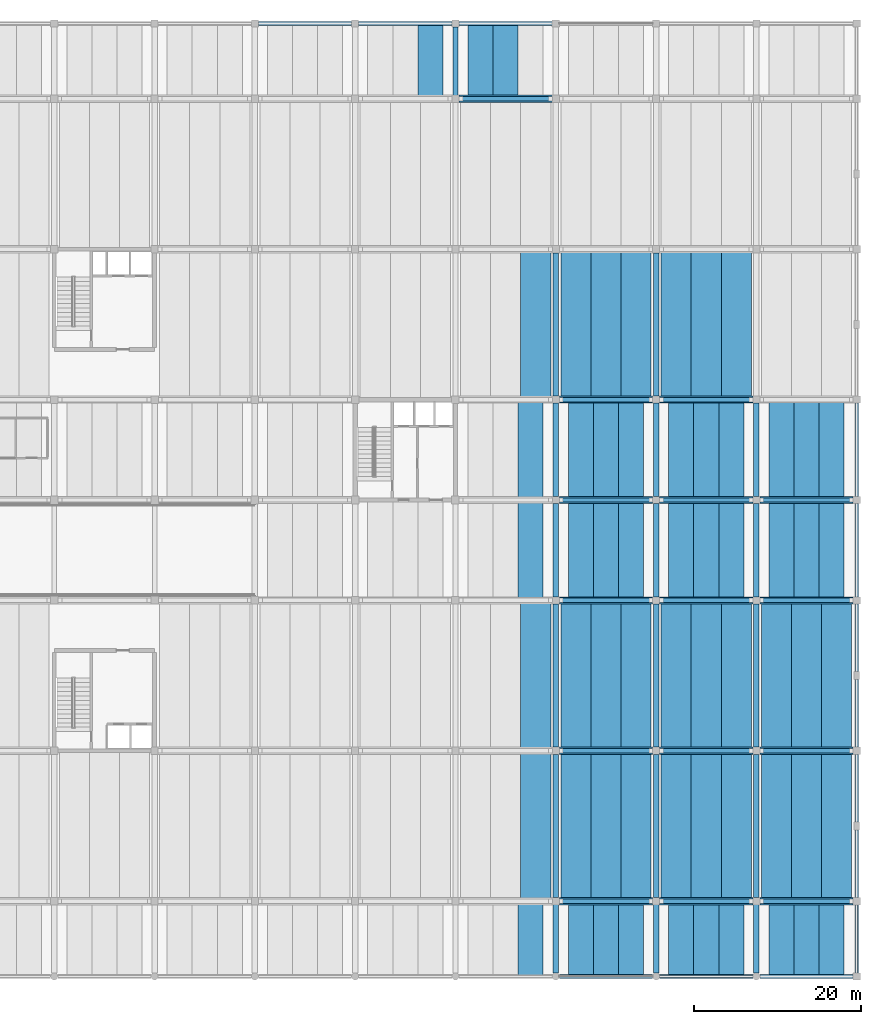
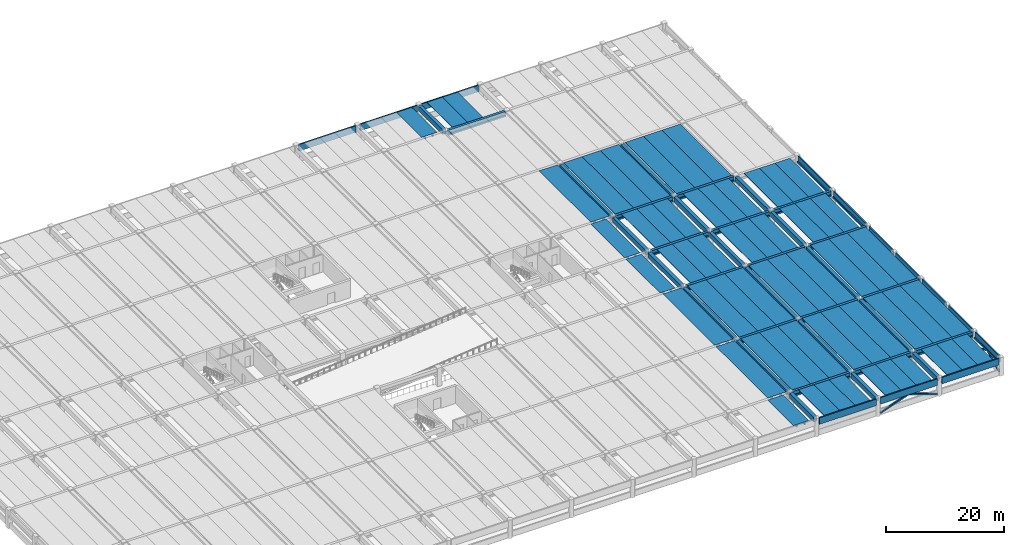
# One storey, part 5 of 19: 106 beams, 4 members.
"""IFC4 building model written with IfcOpenShell, lengths in metres."""

import ifcopenshell
import ifcopenshell.guid

model = None  # the IFC model being written
_history = None  # IfcOwnerHistory: only IFC2X3 demands one
_inside = {}  # id of a spatial element -> (the spatial element, [elements in it])
_under = {}  # id of a project, library or spatial element -> (it, [spatial elements below it])
_declared = {}  # id of a project -> (the project, [libraries it declares])
_typed = {}  # id of a type object -> (the type object, [elements of that type])
_made_of = {}  # id of a material, layer set ... -> (it, [elements and type objects made of it])


def new_model(schema):
    """Start an empty IFC model of exactly this schema.

    Asked for "IFC4X3", IfcOpenShell would pick the latest addendum, in which some entities
    have other attributes; the version numbers below select the first issue.
    IFC2X3 requires an IfcOwnerHistory on every rooted entity: one is made here for all.
    """
    global model, _history
    if schema == "IFC4X3":
        model = ifcopenshell.file(schema_version=(4, 3, 0, 0))
    else:
        model = ifcopenshell.file(schema=schema)
    _inside.clear()
    _under.clear()
    _declared.clear()
    _typed.clear()
    _made_of.clear()
    _history = None
    if model.schema == "IFC2X3":
        org = make("IfcOrganization", Name="unknown")
        user = make(
            "IfcPersonAndOrganization",
            ThePerson=make("IfcPerson", FamilyName="unknown"),
            TheOrganization=org,
        )
        app = make(
            "IfcApplication",
            ApplicationDeveloper=org,
            Version="unknown",
            ApplicationFullName="unknown",
            ApplicationIdentifier="unknown",
        )
        _history = make(
            "IfcOwnerHistory",
            OwningUser=user,
            OwningApplication=app,
            ChangeAction="ADDED",
            CreationDate=0,
        )
    return model


def make(cls, **values):
    """One entity of the class cls with the attributes given. An attribute that is None is left unset."""
    return model.create_entity(
        cls, **{name: value for name, value in values.items() if value is not None}
    )


def rooted(cls, **values):
    """An entity with a GlobalId (a new one), such as an element, a storey or a relation."""
    return make(cls, GlobalId=ifcopenshell.guid.new(), OwnerHistory=_history, **values)


def si_unit(unit_type, name, prefix=None):
    """IfcSIUnit, for example si_unit("LENGTHUNIT", "METRE", prefix="MILLI")."""
    return make("IfcSIUnit", UnitType=unit_type, Prefix=prefix, Name=name)


def assignment(units):
    """IfcUnitAssignment: the units of a project."""
    return None if units is None else make("IfcUnitAssignment", Units=units)


def point(xyz):
    """IfcCartesianPoint."""
    return None if xyz is None else make("IfcCartesianPoint", Coordinates=xyz)


def direction(xyz):
    """IfcDirection."""
    return None if xyz is None else make("IfcDirection", DirectionRatios=xyz)


def frame(location, z_axis=None, x_axis=None):
    """IfcAxis2Placement3D, a coordinate frame: its origin and axes. An axis left out is left unset."""
    return make(
        "IfcAxis2Placement3D",
        Location=point(location),
        Axis=direction(z_axis),
        RefDirection=direction(x_axis),
    )


def frame_2d(location, x_axis=None):
    """IfcAxis2Placement2D, a coordinate frame in the plane: its origin and x axis."""
    return make(
        "IfcAxis2Placement2D", Location=point(location), RefDirection=direction(x_axis)
    )


def origin():
    """The frame at (0, 0, 0) with its axes left unset."""
    return frame((0.0, 0.0, 0.0))


def origin_2d():
    """The frame at (0, 0) in the plane with its x axis left unset."""
    return frame_2d((0.0, 0.0))


def place(relative_to, where):
    """IfcLocalPlacement: puts the frame where relative to a parent placement (None: the world)."""
    return make(
        "IfcLocalPlacement", PlacementRelTo=relative_to, RelativePlacement=where
    )


def context(
    kind, dimensions, precision=None, world=None, true_north=None, identifier=None
):
    """IfcGeometricRepresentationContext, for example the 3D "Model" context."""
    return make(
        "IfcGeometricRepresentationContext",
        ContextIdentifier=identifier,
        ContextType=kind,
        CoordinateSpaceDimension=dimensions,
        Precision=precision,
        WorldCoordinateSystem=world,
        TrueNorth=true_north,
    )


def subcontext(parent, identifier, kind, view, scale=None):
    """IfcGeometricRepresentationSubContext, for example "Body" below "Model"."""
    return make(
        "IfcGeometricRepresentationSubContext",
        ContextIdentifier=identifier,
        ContextType=kind,
        ParentContext=parent,
        TargetScale=scale,
        TargetView=view,
    )


def project(units=None, contexts=None):
    """IfcProject with its units and contexts."""
    return rooted(
        "IfcProject",
        Name="project",
        RepresentationContexts=contexts,
        UnitsInContext=assignment(units),
    )


def spatial(cls, under=None, at=None, **own):
    """A site, building, storey or space (cls), placed at a placement, below another one or the project."""
    s = rooted(cls, ObjectPlacement=at, **own)
    if under is not None:
        _under.setdefault(under.id(), (under, []))[1].append(s)
    return s


def polyline(points):
    """IfcPolyline through the points."""
    return make("IfcPolyline", Points=[point(p) for p in points])


def profile(cls, at=None, kind="AREA", **sizes):
    """A parametric profile (cls). Its sizes go by their IFC names, for example OverallWidth=200.0."""
    return make(cls, ProfileType=kind, Position=at, **sizes)


def rectangle(**sizes):
    """IfcRectangleProfileDef."""
    return profile("IfcRectangleProfileDef", **sizes)


def hollow_rectangle(**sizes):
    """IfcRectangleHollowProfileDef."""
    return profile("IfcRectangleHollowProfileDef", **sizes)


def outline(outer, holes=None, kind="AREA"):
    """IfcArbitraryClosedProfileDef: a profile drawn as a closed curve; with holes, ...WithVoids."""
    if holes is None:
        return make("IfcArbitraryClosedProfileDef", ProfileType=kind, OuterCurve=outer)
    return make(
        "IfcArbitraryProfileDefWithVoids",
        ProfileType=kind,
        OuterCurve=outer,
        InnerCurves=holes,
    )


def extrude(swept, where, along, depth):
    """IfcExtrudedAreaSolid: the profile swept, set in the frame where, extruded along a direction by depth."""
    return make(
        "IfcExtrudedAreaSolid",
        SweptArea=swept,
        Position=where,
        ExtrudedDirection=direction(along),
        Depth=depth,
    )


def shape(context_of_items, identifier, shape_type, items):
    """IfcShapeRepresentation: the items that make up one representation, for example the "Body"."""
    return make(
        "IfcShapeRepresentation",
        ContextOfItems=context_of_items,
        RepresentationIdentifier=identifier,
        RepresentationType=shape_type,
        Items=items,
    )


def material(Name=None, Category=None):
    """IfcMaterial."""
    return make("IfcMaterial", Name=Name, Category=Category)


def material_profile(
    of_material, cross_section, Name=None, Category=None, Priority=None
):
    """IfcMaterialProfile: a cross section and its material."""
    return make(
        "IfcMaterialProfile",
        Name=Name,
        Material=of_material,
        Profile=cross_section,
        Priority=Priority,
        Category=Category,
    )


def profile_set(profiles, Name=None, composite=None):
    """IfcMaterialProfileSet."""
    return make(
        "IfcMaterialProfileSet",
        Name=Name,
        MaterialProfiles=profiles,
        CompositeProfile=composite,
    )


def made_of(thing, what):
    """Note that an element or type object is made of a material, layer set ...; save() writes the relation."""
    if what is not None:
        _made_of.setdefault(what.id(), (what, []))[1].append(thing)
    return thing


def type_object(cls, material=None, **own):
    """A type object (cls), such as IfcWallType, which elements share."""
    return made_of(rooted(cls, **own), material)


def element(
    cls,
    number,
    at=None,
    inside=None,
    cuts=None,
    type_object=None,
    material=None,
    context=None,
    identifier="Body",
    shape_type=None,
    held_by="IfcProductDefinitionShape",
    body=None,
    shapes=None,
    **own,
):
    """One element of the class cls, such as IfcWall. Its Tag is "e" and its number.

    at: its placement. inside: the storey or other place that contains it. cuts: it is an
    opening in that element (IfcRelVoidsElement). A single representation is given by context,
    identifier, shape_type and body (its items); several are given by shapes. held_by: the class
    of the entity that holds the representations. save() writes the other relations.
    """
    e = rooted(cls, Tag="e%d" % number, ObjectPlacement=at, **own)
    if body is not None:
        shapes = [shape(context, identifier, shape_type, body)]
    if shapes is not None:
        e.Representation = make(held_by, Representations=shapes)
    if inside is not None:
        _inside.setdefault(inside.id(), (inside, []))[1].append(e)
    if cuts is not None:
        rooted(
            "IfcRelVoidsElement", RelatingBuildingElement=cuts, RelatedOpeningElement=e
        )
    if type_object is not None:
        _typed.setdefault(type_object.id(), (type_object, []))[1].append(e)
    return made_of(e, material)


def aggregate(whole, parts):
    """IfcRelAggregates: a whole, such as a stair, and the parts it consists of."""
    return rooted("IfcRelAggregates", RelatingObject=whole, RelatedObjects=parts)


def save(model, path):
    """Write the relations noted so far, then the file.

    IfcRelAggregates (storeys below a building ...), IfcRelContainedInSpatialStructure (elements
    in a storey), IfcRelDefinesByType, IfcRelAssociatesMaterial and IfcRelDeclares: one each for
    every whole, place, type object, material and project.
    """
    for whole, parts in _under.values():
        aggregate(whole, parts)
    for where, things in _inside.values():
        rooted(
            "IfcRelContainedInSpatialStructure",
            RelatedElements=things,
            RelatingStructure=where,
        )
    for kind, things in _typed.values():
        rooted("IfcRelDefinesByType", RelatedObjects=things, RelatingType=kind)
    for what, things in _made_of.values():
        rooted("IfcRelAssociatesMaterial", RelatedObjects=things, RelatingMaterial=what)
    for by, libraries in _declared.values():
        rooted("IfcRelDeclares", RelatingContext=by, RelatedDefinitions=libraries)
    model.write(path)


model = new_model("IFC4")

# Units and contexts
model_context = context("Model", 3, precision=1e-05, world=origin(), true_north=direction((0.0, 1.0)))
body_context = subcontext(model_context, "Body", "Model", "MODEL_VIEW")
ifc_project = project(units=[si_unit("LENGTHUNIT", "METRE"), si_unit("AREAUNIT", "SQUARE_METRE"), si_unit("VOLUMEUNIT", "CUBIC_METRE"), si_unit("PLANEANGLEUNIT", "RADIAN"), si_unit("MASSUNIT", "GRAM", prefix="KILO")], contexts=[model_context])

# Site, building, storey
site_placement = place(None, origin())
site = spatial("IfcSite", under=ifc_project, at=site_placement, CompositionType="ELEMENT")
building_placement = place(site_placement, origin())
building = spatial("IfcBuilding", under=site, at=building_placement, Name="Girod Span Mobility Hub", CompositionType="ELEMENT")
storey_placement = place(building_placement, frame((0.0, 0.0, 13.39990234375)))
storey = spatial("IfcBuildingStorey", under=building, at=storey_placement, Name="L03", CompositionType="ELEMENT", Elevation=13.39990234375)

# Beams
ifc_material_1 = material(Name="Concrete C50/60", Category="concrete")
ifc_material_profile_1 = material_profile(ifc_material_1, outline(polyline([(-1.5, 0.35009765625), (-1.5, 0.2548828125), (-0.840087890625, 0.2548828125), (-0.81494140625, -0.35009765625), (-0.68505859375, -0.35009765625), (-0.659912109375, 0.2548828125), (0.659912109375, 0.2548828125), (0.68505859375, -0.35009765625), (0.81494140625, -0.35009765625), (0.840087890625, 0.2548828125), (1.5, 0.2548828125), (1.5, 0.35009765625), (-1.5, 0.35009765625)])), Name="DT-3000X700")
ifc_profile_set_1 = profile_set([ifc_material_profile_1], Name="Concrete C50/60")
beam_type_1 = type_object("IfcBeamType", Name="BM-DT-3000X700", PredefinedType="JOIST", material=ifc_profile_set_1)
beam_1_placement = place(storey_placement, frame((117.0, 105.2470703125, 3.26513671875), z_axis=(0.0, 1.0, 0.0), x_axis=(-1.0, 0.0, 0.0)))
element("IfcBeam", 1, at=beam_1_placement, inside=storey, type_object=beam_type_1, Name="Double-Tee Deck 10/H-3 L03", PredefinedType="JOIST", context=body_context, shape_type="SweptSolid", body=[
    extrude(outline(polyline([(-1.5, 0.35009765625), (-1.5, 0.2548828125), (-0.840087890625, 0.2548828125), (-0.81494140625, -0.35009765625), (-0.68505859375, -0.35009765625), (-0.659912109375, 0.2548828125), (0.659912109375, 0.2548828125), (0.68505859375, -0.35009765625), (0.81494140625, -0.35009765625), (0.840087890625, 0.2548828125), (1.5, 0.2548828125), (1.5, 0.35009765625), (-1.5, 0.35009765625)])), origin(), (0.0, 0.0, 1.0), 8.531005859375),
])
beam_2_placement = place(storey_placement, frame((129.0, 0.02197265625, 3.26513671875), z_axis=(0.0, 1.0, 0.0), x_axis=(-1.0, 0.0, 0.0)))
element("IfcBeam", 2, at=beam_2_placement, inside=storey, type_object=beam_type_1, Name="Double-Tee Deck 11/A-3 L03", PredefinedType="JOIST", context=body_context, shape_type="SweptSolid", body=[
    extrude(outline(polyline([(-1.5, 0.35009765625), (-1.5, 0.2548828125), (-0.840087890625, 0.2548828125), (-0.81494140625, -0.35009765625), (-0.68505859375, -0.35009765625), (-0.659912109375, 0.2548828125), (0.659912109375, 0.2548828125), (0.68505859375, -0.35009765625), (0.81494140625, -0.35009765625), (0.840087890625, 0.2548828125), (1.5, 0.2548828125), (1.5, 0.35009765625), (-1.5, 0.35009765625)])), origin(), (0.0, 0.0, 1.0), 8.73095703125),
])
for number, where, z_axis, x_axis, name in (
    (3, (129.0, 45.2470703125, 3.26513671875), (0.0, 1.0, 0.0), (-1.0, 0.0, 0.0), "Double-Tee Deck 11/D-3 L03"),
    (4, (129.0, 57.2470703125, 3.26513671875), (0.0, 1.0, 0.0), (-1.0, 0.0, 0.0), "Double-Tee Deck 11/E-3 L03"),
):
    element("IfcBeam", number, at=place(storey_placement, frame(where, z_axis=z_axis, x_axis=x_axis)), inside=storey, type_object=beam_type_1, Name=name, PredefinedType="JOIST", context=body_context, shape_type="SweptSolid", body=[
        extrude(outline(polyline([(-1.5, 0.35009765625), (-1.5, 0.2548828125), (-0.840087890625, 0.2548828125), (-0.81494140625, -0.35009765625), (-0.68505859375, -0.35009765625), (-0.659912109375, 0.2548828125), (0.659912109375, 0.2548828125), (0.68505859375, -0.35009765625), (0.81494140625, -0.35009765625), (0.840087890625, 0.2548828125), (1.5, 0.2548828125), (1.5, 0.35009765625), (-1.5, 0.35009765625)])), origin(), (0.0, 0.0, 1.0), 11.505859375),
    ])
for number, where, z_axis, x_axis, name in (
    (5, (123.0, 105.2470703125, 3.26513671875), (0.0, 1.0, 0.0), (-1.0, 0.0, 0.0), "Double-Tee Deck 11/H-1 L03"),
    (6, (126.0, 105.2470703125, 3.26513671875), (0.0, 1.0, 0.0), (-1.0, 0.0, 0.0), "Double-Tee Deck 11/H-2 L03"),
):
    element("IfcBeam", number, at=place(storey_placement, frame(where, z_axis=z_axis, x_axis=x_axis)), inside=storey, type_object=beam_type_1, Name=name, PredefinedType="JOIST", context=body_context, shape_type="SweptSolid", body=[
        extrude(outline(polyline([(-1.5, 0.35009765625), (-1.5, 0.2548828125), (-0.840087890625, 0.2548828125), (-0.81494140625, -0.35009765625), (-0.68505859375, -0.35009765625), (-0.659912109375, 0.2548828125), (0.659912109375, 0.2548828125), (0.68505859375, -0.35009765625), (0.81494140625, -0.35009765625), (0.840087890625, 0.2548828125), (1.5, 0.2548828125), (1.5, 0.35009765625), (-1.5, 0.35009765625)])), origin(), (0.0, 0.0, 1.0), 8.531005859375),
    ])
for number, where, z_axis, x_axis, name in (
    (7, (135.0, 0.02197265625, 3.26513671875), (0.0, 1.0, 0.0), (-1.0, 0.0, 0.0), "Double-Tee Deck 12/A-1 L03"),
    (8, (138.0, 0.02197265625, 3.26513671875), (0.0, 1.0, 0.0), (-1.0, 0.0, 0.0), "Double-Tee Deck 12/A-2 L03"),
    (9, (141.0, 0.02197265625, 3.26513671875), (0.0, 1.0, 0.0), (-1.0, 0.0, 0.0), "Double-Tee Deck 12/A-3 L03"),
):
    element("IfcBeam", number, at=place(storey_placement, frame(where, z_axis=z_axis, x_axis=x_axis)), inside=storey, type_object=beam_type_1, Name=name, PredefinedType="JOIST", context=body_context, shape_type="SweptSolid", body=[
        extrude(outline(polyline([(-1.5, 0.35009765625), (-1.5, 0.2548828125), (-0.840087890625, 0.2548828125), (-0.81494140625, -0.35009765625), (-0.68505859375, -0.35009765625), (-0.659912109375, 0.2548828125), (0.659912109375, 0.2548828125), (0.68505859375, -0.35009765625), (0.81494140625, -0.35009765625), (0.840087890625, 0.2548828125), (1.5, 0.2548828125), (1.5, 0.35009765625), (-1.5, 0.35009765625)])), origin(), (0.0, 0.0, 1.0), 8.73095703125),
    ])
for number, where, z_axis, x_axis, name in (
    (10, (135.0, 45.2470703125, 3.26513671875), (0.0, 1.0, 0.0), (-1.0, 0.0, 0.0), "Double-Tee Deck 12/D-1 L03"),
    (11, (138.0, 45.2470703125, 3.26513671875), (0.0, 1.0, 0.0), (-1.0, 0.0, 0.0), "Double-Tee Deck 12/D-2 L03"),
    (12, (141.0, 45.2470703125, 3.26513671875), (0.0, 1.0, 0.0), (-1.0, 0.0, 0.0), "Double-Tee Deck 12/D-3 L03"),
    (13, (135.0, 57.2470703125, 3.26513671875), (0.0, 1.0, 0.0), (-1.0, 0.0, 0.0), "Double-Tee Deck 12/E-1 L03"),
    (14, (138.0, 57.2470703125, 3.26513671875), (0.0, 1.0, 0.0), (-1.0, 0.0, 0.0), "Double-Tee Deck 12/E-2 L03"),
    (15, (141.0, 57.2470703125, 3.26513671875), (0.0, 1.0, 0.0), (-1.0, 0.0, 0.0), "Double-Tee Deck 12/E-3 L03"),
):
    element("IfcBeam", number, at=place(storey_placement, frame(where, z_axis=z_axis, x_axis=x_axis)), inside=storey, type_object=beam_type_1, Name=name, PredefinedType="JOIST", context=body_context, shape_type="SweptSolid", body=[
        extrude(outline(polyline([(-1.5, 0.35009765625), (-1.5, 0.2548828125), (-0.840087890625, 0.2548828125), (-0.81494140625, -0.35009765625), (-0.68505859375, -0.35009765625), (-0.659912109375, 0.2548828125), (0.659912109375, 0.2548828125), (0.68505859375, -0.35009765625), (0.81494140625, -0.35009765625), (0.840087890625, 0.2548828125), (1.5, 0.2548828125), (1.5, 0.35009765625), (-1.5, 0.35009765625)])), origin(), (0.0, 0.0, 1.0), 11.505859375),
    ])
for number, where, z_axis, x_axis, name in (
    (16, (147.0, 0.02197265625, 3.26513671875), (0.0, 1.0, 0.0), (-1.0, 0.0, 0.0), "Double-Tee Deck 13/A-1 L03"),
    (17, (150.0, 0.02197265625, 3.26513671875), (0.0, 1.0, 0.0), (-1.0, 0.0, 0.0), "Double-Tee Deck 13/A-2 L03"),
    (18, (153.0, 0.02197265625, 3.26513671875), (0.0, 1.0, 0.0), (-1.0, 0.0, 0.0), "Double-Tee Deck 13/A-3 L03"),
):
    element("IfcBeam", number, at=place(storey_placement, frame(where, z_axis=z_axis, x_axis=x_axis)), inside=storey, type_object=beam_type_1, Name=name, PredefinedType="JOIST", context=body_context, shape_type="SweptSolid", body=[
        extrude(outline(polyline([(-1.5, 0.35009765625), (-1.5, 0.2548828125), (-0.840087890625, 0.2548828125), (-0.81494140625, -0.35009765625), (-0.68505859375, -0.35009765625), (-0.659912109375, 0.2548828125), (0.659912109375, 0.2548828125), (0.68505859375, -0.35009765625), (0.81494140625, -0.35009765625), (0.840087890625, 0.2548828125), (1.5, 0.2548828125), (1.5, 0.35009765625), (-1.5, 0.35009765625)])), origin(), (0.0, 0.0, 1.0), 8.73095703125),
    ])
for number, where, z_axis, x_axis, name in (
    (19, (147.0, 45.2470703125, 3.26513671875), (0.0, 1.0, 0.0), (-1.0, 0.0, 0.0), "Double-Tee Deck 13/D-1 L03"),
    (20, (150.0, 45.2470703125, 3.26513671875), (0.0, 1.0, 0.0), (-1.0, 0.0, 0.0), "Double-Tee Deck 13/D-2 L03"),
    (21, (153.0, 45.2470703125, 3.26513671875), (0.0, 1.0, 0.0), (-1.0, 0.0, 0.0), "Double-Tee Deck 13/D-3 L03"),
    (22, (147.0, 57.2470703125, 3.26513671875), (0.0, 1.0, 0.0), (-1.0, 0.0, 0.0), "Double-Tee Deck 13/E-1 L03"),
    (23, (150.0, 57.2470703125, 3.26513671875), (0.0, 1.0, 0.0), (-1.0, 0.0, 0.0), "Double-Tee Deck 13/E-2 L03"),
    (24, (153.0, 57.2470703125, 3.26513671875), (0.0, 1.0, 0.0), (-1.0, 0.0, 0.0), "Double-Tee Deck 13/E-3 L03"),
):
    element("IfcBeam", number, at=place(storey_placement, frame(where, z_axis=z_axis, x_axis=x_axis)), inside=storey, type_object=beam_type_1, Name=name, PredefinedType="JOIST", context=body_context, shape_type="SweptSolid", body=[
        extrude(outline(polyline([(-1.5, 0.35009765625), (-1.5, 0.2548828125), (-0.840087890625, 0.2548828125), (-0.81494140625, -0.35009765625), (-0.68505859375, -0.35009765625), (-0.659912109375, 0.2548828125), (0.659912109375, 0.2548828125), (0.68505859375, -0.35009765625), (0.81494140625, -0.35009765625), (0.840087890625, 0.2548828125), (1.5, 0.2548828125), (1.5, 0.35009765625), (-1.5, 0.35009765625)])), origin(), (0.0, 0.0, 1.0), 11.505859375),
    ])
for number, where, z_axis, x_axis, name in (
    (25, (159.0, 0.02197265625, 3.26513671875), (0.0, 1.0, 0.0), (-1.0, 0.0, 0.0), "Double-Tee Deck 14/A-1 L03"),
    (26, (162.0, 0.02197265625, 3.26513671875), (0.0, 1.0, 0.0), (-1.0, 0.0, 0.0), "Double-Tee Deck 14/A-2 L03"),
    (27, (165.0, 0.02197265625, 3.26513671875), (0.0, 1.0, 0.0), (-1.0, 0.0, 0.0), "Double-Tee Deck 14/A-3 L03"),
):
    element("IfcBeam", number, at=place(storey_placement, frame(where, z_axis=z_axis, x_axis=x_axis)), inside=storey, type_object=beam_type_1, Name=name, PredefinedType="JOIST", context=body_context, shape_type="SweptSolid", body=[
        extrude(outline(polyline([(-1.5, 0.35009765625), (-1.5, 0.2548828125), (-0.840087890625, 0.2548828125), (-0.81494140625, -0.35009765625), (-0.68505859375, -0.35009765625), (-0.659912109375, 0.2548828125), (0.659912109375, 0.2548828125), (0.68505859375, -0.35009765625), (0.81494140625, -0.35009765625), (0.840087890625, 0.2548828125), (1.5, 0.2548828125), (1.5, 0.35009765625), (-1.5, 0.35009765625)])), origin(), (0.0, 0.0, 1.0), 8.73095703125),
    ])
for number, where, z_axis, x_axis, name in (
    (28, (159.0, 45.2470703125, 3.26513671875), (0.0, 1.0, 0.0), (-1.0, 0.0, 0.0), "Double-Tee Deck 14/D-1 L03"),
    (29, (162.0, 45.2470703125, 3.26513671875), (0.0, 1.0, 0.0), (-1.0, 0.0, 0.0), "Double-Tee Deck 14/D-2 L03"),
    (30, (165.0, 45.2470703125, 3.26513671875), (0.0, 1.0, 0.0), (-1.0, 0.0, 0.0), "Double-Tee Deck 14/D-3 L03"),
    (31, (159.0, 57.2470703125, 3.26513671875), (0.0, 1.0, 0.0), (-1.0, 0.0, 0.0), "Double-Tee Deck 14/E-1 L03"),
    (32, (162.0, 57.2470703125, 3.26513671875), (0.0, 1.0, 0.0), (-1.0, 0.0, 0.0), "Double-Tee Deck 14/E-2 L03"),
    (33, (165.0, 57.2470703125, 3.26513671875), (0.0, 1.0, 0.0), (-1.0, 0.0, 0.0), "Double-Tee Deck 14/E-3 L03"),
):
    element("IfcBeam", number, at=place(storey_placement, frame(where, z_axis=z_axis, x_axis=x_axis)), inside=storey, type_object=beam_type_1, Name=name, PredefinedType="JOIST", context=body_context, shape_type="SweptSolid", body=[
        extrude(outline(polyline([(-1.5, 0.35009765625), (-1.5, 0.2548828125), (-0.840087890625, 0.2548828125), (-0.81494140625, -0.35009765625), (-0.68505859375, -0.35009765625), (-0.659912109375, 0.2548828125), (0.659912109375, 0.2548828125), (0.68505859375, -0.35009765625), (0.81494140625, -0.35009765625), (0.840087890625, 0.2548828125), (1.5, 0.2548828125), (1.5, 0.35009765625), (-1.5, 0.35009765625)])), origin(), (0.0, 0.0, 1.0), 11.505859375),
    ])
ifc_material_2 = material(Name="Concrete C50/60", Category="concrete")
ifc_material_profile_2 = material_profile(ifc_material_2, outline(polyline([(-1.800048828125, 0.425048828125), (-1.800048828125, 0.324951171875), (-1.0, 0.324951171875), (-0.969970703125, -0.425048828125), (-0.830078125, -0.425048828125), (-0.800048828125, 0.324951171875), (0.800048828125, 0.324951171875), (0.830078125, -0.425048828125), (0.969970703125, -0.425048828125), (1.0, 0.324951171875), (1.800048828125, 0.324951171875), (1.800048828125, 0.425048828125), (-1.800048828125, 0.425048828125)])), Name="DT-3600X850")
ifc_profile_set_2 = profile_set([ifc_material_profile_2], Name="Concrete C50/60")
beam_type_2 = type_object("IfcBeamType", Name="BM-DT-3600X850", PredefinedType="JOIST", material=ifc_profile_set_2)
for number, where, z_axis, x_axis, name in (
    (34, (129.60009765625, 9.2470703125, 3.190185546875), (0.0, 1.0, 0.0), (-1.0, 0.0, 0.0), "Double-Tee Deck 11/B-3 L03"),
    (35, (129.60009765625, 27.2470703125, 3.190185546875), (0.0, 1.0, 0.0), (-1.0, 0.0, 0.0), "Double-Tee Deck 11/C-3 L03"),
    (36, (129.60009765625, 69.2470703125, 3.190185546875), (0.0, 1.0, 0.0), (-1.0, 0.0, 0.0), "Double-Tee Deck 11/F-3 L03"),
    (37, (134.39990234375, 9.2470703125, 3.190185546875), (0.0, 1.0, 0.0), (-1.0, 0.0, 0.0), "Double-Tee Deck 12/B-1 L03"),
    (38, (138.0, 9.2470703125, 3.190185546875), (0.0, 1.0, 0.0), (-1.0, 0.0, 0.0), "Double-Tee Deck 12/B-2 L03"),
    (39, (141.60009765625, 9.2470703125, 3.190185546875), (0.0, 1.0, 0.0), (-1.0, 0.0, 0.0), "Double-Tee Deck 12/B-3 L03"),
    (40, (134.39990234375, 27.2470703125, 3.190185546875), (0.0, 1.0, 0.0), (-1.0, 0.0, 0.0), "Double-Tee Deck 12/C-1 L03"),
    (41, (138.0, 27.2470703125, 3.190185546875), (0.0, 1.0, 0.0), (-1.0, 0.0, 0.0), "Double-Tee Deck 12/C-2 L03"),
    (42, (141.60009765625, 27.2470703125, 3.190185546875), (0.0, 1.0, 0.0), (-1.0, 0.0, 0.0), "Double-Tee Deck 12/C-3 L03"),
    (43, (134.39990234375, 69.2470703125, 3.190185546875), (0.0, 1.0, 0.0), (-1.0, 0.0, 0.0), "Double-Tee Deck 12/F-1 L03"),
    (44, (138.0, 69.2470703125, 3.190185546875), (0.0, 1.0, 0.0), (-1.0, 0.0, 0.0), "Double-Tee Deck 12/F-2 L03"),
    (45, (141.60009765625, 69.2470703125, 3.190185546875), (0.0, 1.0, 0.0), (-1.0, 0.0, 0.0), "Double-Tee Deck 12/F-3 L03"),
    (46, (146.39990234375, 9.2470703125, 3.190185546875), (0.0, 1.0, 0.0), (-1.0, 0.0, 0.0), "Double-Tee Deck 13/B-1 L03"),
    (47, (150.0, 9.2470703125, 3.190185546875), (0.0, 1.0, 0.0), (-1.0, 0.0, 0.0), "Double-Tee Deck 13/B-2 L03"),
    (48, (153.60009765625, 9.2470703125, 3.190185546875), (0.0, 1.0, 0.0), (-1.0, 0.0, 0.0), "Double-Tee Deck 13/B-3 L03"),
    (49, (146.39990234375, 27.2470703125, 3.190185546875), (0.0, 1.0, 0.0), (-1.0, 0.0, 0.0), "Double-Tee Deck 13/C-1 L03"),
    (50, (150.0, 27.2470703125, 3.190185546875), (0.0, 1.0, 0.0), (-1.0, 0.0, 0.0), "Double-Tee Deck 13/C-2 L03"),
    (51, (153.60009765625, 27.2470703125, 3.190185546875), (0.0, 1.0, 0.0), (-1.0, 0.0, 0.0), "Double-Tee Deck 13/C-3 L03"),
    (52, (146.39990234375, 69.2470703125, 3.190185546875), (0.0, 1.0, 0.0), (-1.0, 0.0, 0.0), "Double-Tee Deck 13/F-1 L03"),
    (53, (150.0, 69.2470703125, 3.190185546875), (0.0, 1.0, 0.0), (-1.0, 0.0, 0.0), "Double-Tee Deck 13/F-2 L03"),
    (54, (153.60009765625, 69.2470703125, 3.190185546875), (0.0, 1.0, 0.0), (-1.0, 0.0, 0.0), "Double-Tee Deck 13/F-3 L03"),
    (55, (158.39990234375, 9.2470703125, 3.190185546875), (0.0, 1.0, 0.0), (-1.0, 0.0, 0.0), "Double-Tee Deck 14/B-1 L03"),
    (56, (162.0, 9.2470703125, 3.190185546875), (0.0, 1.0, 0.0), (-1.0, 0.0, 0.0), "Double-Tee Deck 14/B-2 L03"),
    (57, (165.60009765625, 9.2470703125, 3.190185546875), (0.0, 1.0, 0.0), (-1.0, 0.0, 0.0), "Double-Tee Deck 14/B-3 L03"),
    (58, (158.39990234375, 27.2470703125, 3.190185546875), (0.0, 1.0, 0.0), (-1.0, 0.0, 0.0), "Double-Tee Deck 14/C-1 L03"),
    (59, (162.0, 27.2470703125, 3.190185546875), (0.0, 1.0, 0.0), (-1.0, 0.0, 0.0), "Double-Tee Deck 14/C-2 L03"),
    (60, (165.60009765625, 27.2470703125, 3.190185546875), (0.0, 1.0, 0.0), (-1.0, 0.0, 0.0), "Double-Tee Deck 14/C-3 L03"),
):
    element("IfcBeam", number, at=place(storey_placement, frame(where, z_axis=z_axis, x_axis=x_axis)), inside=storey, type_object=beam_type_2, Name=name, PredefinedType="JOIST", context=body_context, shape_type="SweptSolid", body=[
        extrude(outline(polyline([(-1.800048828125, 0.425048828125), (-1.800048828125, 0.324951171875), (-1.0, 0.324951171875), (-0.969970703125, -0.425048828125), (-0.830078125, -0.425048828125), (-0.800048828125, 0.324951171875), (0.800048828125, 0.324951171875), (0.830078125, -0.425048828125), (0.969970703125, -0.425048828125), (1.0, 0.324951171875), (1.800048828125, 0.324951171875), (1.800048828125, 0.425048828125), (-1.800048828125, 0.425048828125)])), origin(), (0.0, 0.0, 1.0), 17.505859375),
    ])
ifc_material_3 = material(Name="Concrete C50/60", Category="concrete")
ifc_material_profile_3 = material_profile(ifc_material_3, outline(polyline([(-0.425048828125, -0.47509765625), (0.425048828125, -0.47509765625), (0.425048828125, -0.155029296875), (0.25, -0.155029296875), (0.25, 0.47509765625), (-0.25, 0.47509765625), (-0.25, -0.155029296875), (-0.425048828125, -0.155029296875), (-0.425048828125, -0.47509765625)])), Name="IT-850X950")
ifc_profile_set_3 = profile_set([ifc_material_profile_3], Name="Concrete C50/60")
beam_type_3 = type_object("IfcBeamType", Name="BM-IT-850X950", PredefinedType="T_BEAM", material=ifc_profile_set_3)
for number, where, z_axis, x_axis, name in (
    (61, (132.422119140625, 9.0, 3.14013671875), (1.0, 0.0, 0.0), (0.0, 1.0, 0.0), "Girder 12-13/B L03"),
    (62, (144.422119140625, 9.0, 3.14013671875), (1.0, 0.0, 0.0), (0.0, 1.0, 0.0), "Girder 13-14/B L03"),
    (63, (156.422119140625, 9.0, 3.14013671875), (1.0, 0.0, 0.0), (0.0, 1.0, 0.0), "Girder 14-15/B L03"),
    (64, (132.422119140625, 27.0, 3.14013671875), (1.0, 0.0, 0.0), (0.0, 1.0, 0.0), "Girder 12-13/C L03"),
    (65, (144.422119140625, 27.0, 3.14013671875), (1.0, 0.0, 0.0), (0.0, 1.0, 0.0), "Girder 13-14/C L03"),
    (66, (156.422119140625, 27.0, 3.14013671875), (1.0, 0.0, 0.0), (0.0, 1.0, 0.0), "Girder 14-15/C L03"),
    (67, (132.422119140625, 45.0, 3.14013671875), (1.0, 0.0, 0.0), (0.0, 1.0, 0.0), "Girder 12-13/D L03"),
    (68, (144.422119140625, 45.0, 3.14013671875), (1.0, 0.0, 0.0), (0.0, 1.0, 0.0), "Girder 13-14/D L03"),
    (69, (156.422119140625, 45.0, 3.14013671875), (1.0, 0.0, 0.0), (0.0, 1.0, 0.0), "Girder 14-15/D L03"),
    (70, (132.422119140625, 57.0, 3.14013671875), (1.0, 0.0, 0.0), (0.0, 1.0, 0.0), "Girder 12-13/E L03"),
    (71, (144.422119140625, 57.0, 3.14013671875), (1.0, 0.0, 0.0), (0.0, 1.0, 0.0), "Girder 13-14/E L03"),
    (72, (156.422119140625, 57.0, 3.14013671875), (1.0, 0.0, 0.0), (0.0, 1.0, 0.0), "Girder 14-15/E L03"),
    (73, (132.422119140625, 69.0, 3.14013671875), (1.0, 0.0, 0.0), (0.0, 1.0, 0.0), "Girder 12-13/F L03"),
    (74, (144.422119140625, 69.0, 3.14013671875), (1.0, 0.0, 0.0), (0.0, 1.0, 0.0), "Girder 13-14/F L03"),
    (75, (120.422119140625, 105.0, 3.14013671875), (1.0, 0.0, 0.0), (0.0, 1.0, 0.0), "Girder 11-12/H L03"),
):
    element("IfcBeam", number, at=place(storey_placement, frame(where, z_axis=z_axis, x_axis=x_axis)), inside=storey, type_object=beam_type_3, Name=name, PredefinedType="T_BEAM", context=body_context, shape_type="SweptSolid", body=[
        extrude(outline(polyline([(-0.425048828125, -0.47509765625), (0.425048828125, -0.47509765625), (0.425048828125, -0.155029296875), (0.25, -0.155029296875), (0.25, 0.47509765625), (-0.25, 0.47509765625), (-0.25, -0.155029296875), (-0.425048828125, -0.155029296875), (-0.425048828125, -0.47509765625)])), origin(), (0.0, 0.0, 1.0), 11.15576171875),
    ])
ifc_material_4 = material(Name="Concrete C40/50", Category="concrete")
ifc_material_profile_4 = material_profile(ifc_material_4, outline(polyline([(-0.22509765625, -0.675048828125), (0.22509765625, -0.675048828125), (0.22509765625, -0.324951171875), (0.02490234375, -0.324951171875), (0.02490234375, 0.675048828125), (-0.22509765625, 0.675048828125), (-0.22509765625, -0.675048828125)])), Name="SP-450X1350")
ifc_profile_set_4 = profile_set([ifc_material_profile_4], Name="Concrete C40/50")
beam_type_4 = type_object("IfcBeamType", Name="BM-SP-450X1350", PredefinedType="SPANDREL", material=ifc_profile_set_4)
for number, where, z_axis, x_axis, name in (
    (76, (132.422119140625, 0.0, 2.940185546875), (1.0, 0.0, 0.0), (0.0, 1.0, 0.0), "Girder 12-13/A L03"),
    (77, (144.422119140625, 0.0, 2.940185546875), (1.0, 0.0, 0.0), (0.0, 1.0, 0.0), "Girder 13-14/A L03"),
    (78, (156.422119140625, 0.0, 2.940185546875), (1.0, 0.0, 0.0), (0.0, 1.0, 0.0), "Girder 14-15/A L03"),
    (79, (96.422119140625, 114.0, 2.940185546875), (1.0, 0.0, 0.0), (0.0, 1.0, 0.0), "Girder 9-10/J L03"),
    (80, (108.422119140625, 114.0, 2.940185546875), (1.0, 0.0, 0.0), (0.0, 1.0, 0.0), "Girder 10-11/J L03"),
    (81, (120.422119140625, 114.0, 2.940185546875), (1.0, 0.0, 0.0), (0.0, 1.0, 0.0), "Girder 11-12/J L03"),
):
    element("IfcBeam", number, at=place(storey_placement, frame(where, z_axis=z_axis, x_axis=x_axis)), inside=storey, type_object=beam_type_4, Name=name, PredefinedType="SPANDREL", context=body_context, shape_type="SweptSolid", body=[
        extrude(outline(polyline([(-0.22509765625, -0.675048828125), (0.22509765625, -0.675048828125), (0.22509765625, -0.324951171875), (0.02490234375, -0.324951171875), (0.02490234375, 0.675048828125), (-0.22509765625, 0.675048828125), (-0.22509765625, -0.675048828125)])), origin(), (0.0, 0.0, 1.0), 11.15576171875),
    ])
beam_3_placement = place(storey_placement, frame((168.0, 0.422119140625, 2.940185546875), z_axis=(0.0, 1.0, 0.0), x_axis=(-1.0, 0.0, 0.0)))
element("IfcBeam", 82, at=beam_3_placement, inside=storey, type_object=beam_type_4, Name="Tie Girder 15/A-B L03", PredefinedType="SPANDREL", context=body_context, shape_type="SweptSolid", body=[
    extrude(outline(polyline([(-0.22509765625, -0.675048828125), (0.22509765625, -0.675048828125), (0.22509765625, -0.324951171875), (0.02490234375, -0.324951171875), (0.02490234375, 0.675048828125), (-0.22509765625, 0.675048828125), (-0.22509765625, -0.675048828125)])), origin(), (0.0, 0.0, 1.0), 8.15576171875),
])
for number, where, z_axis, x_axis, name in (
    (83, (168.0, 9.422119140625, 2.940185546875), (0.0, 1.0, 0.0), (-1.0, 0.0, 0.0), "Perimeter Spandrel 15/B-S L03"),
    (84, (168.0, 18.471923828125, 2.940185546875), (0.0, 1.0, 0.0), (-1.0, 0.0, 0.0), "Perimeter Spandrel 15/B-N L03"),
    (85, (168.0, 27.422119140625, 2.940185546875), (0.0, 1.0, 0.0), (-1.0, 0.0, 0.0), "Perimeter Spandrel 15/C-S L03"),
    (86, (168.0, 36.471923828125, 2.940185546875), (0.0, 1.0, 0.0), (-1.0, 0.0, 0.0), "Perimeter Spandrel 15/C-N L03"),
):
    element("IfcBeam", number, at=place(storey_placement, frame(where, z_axis=z_axis, x_axis=x_axis)), inside=storey, type_object=beam_type_4, Name=name, PredefinedType="SPANDREL", context=body_context, shape_type="SweptSolid", body=[
        extrude(outline(polyline([(-0.22509765625, -0.675048828125), (0.22509765625, -0.675048828125), (0.22509765625, -0.324951171875), (0.02490234375, -0.324951171875), (0.02490234375, 0.675048828125), (-0.22509765625, 0.675048828125), (-0.22509765625, -0.675048828125)])), origin(), (0.0, 0.0, 1.0), 8.10595703125),
    ])
for number, where, z_axis, x_axis, name in (
    (87, (168.0, 45.422119140625, 2.940185546875), (0.0, 1.0, 0.0), (-1.0, 0.0, 0.0), "Tie Girder 15/D-E L03"),
    (88, (168.0, 57.422119140625, 2.940185546875), (0.0, 1.0, 0.0), (-1.0, 0.0, 0.0), "Tie Girder 15/E-F L03"),
):
    element("IfcBeam", number, at=place(storey_placement, frame(where, z_axis=z_axis, x_axis=x_axis)), inside=storey, type_object=beam_type_4, Name=name, PredefinedType="SPANDREL", context=body_context, shape_type="SweptSolid", body=[
        extrude(outline(polyline([(-0.22509765625, -0.675048828125), (0.22509765625, -0.675048828125), (0.22509765625, -0.324951171875), (0.02490234375, -0.324951171875), (0.02490234375, 0.675048828125), (-0.22509765625, 0.675048828125), (-0.22509765625, -0.675048828125)])), origin(), (0.0, 0.0, 1.0), 11.15576171875),
    ])
ifc_material_5 = material(Name="Concrete C40/50", Category="concrete")
ifc_material_profile_5 = material_profile(ifc_material_5, rectangle(XDim=0.64990234375, YDim=1.0, at=origin_2d()), Name="TG-650X1000")
ifc_profile_set_5 = profile_set([ifc_material_profile_5], Name="Concrete C40/50")
beam_type_5 = type_object("IfcBeamType", Name="BM-TG-650X1000", PredefinedType="T_BEAM", material=ifc_profile_set_5)
for number, where, z_axis, x_axis, name in (
    (89, (120.0, 105.422119140625, 3.114990234375), (0.0, 1.0, 0.0), (-1.0, 0.0, 0.0), "Tie Girder 11/H-J L03"),
    (90, (132.0, 0.422119140625, 3.114990234375), (0.0, 1.0, 0.0), (-1.0, 0.0, 0.0), "Tie Girder 12/A-B L03"),
):
    element("IfcBeam", number, at=place(storey_placement, frame(where, z_axis=z_axis, x_axis=x_axis)), inside=storey, type_object=beam_type_5, Name=name, PredefinedType="T_BEAM", context=body_context, shape_type="SweptSolid", body=[
        extrude(rectangle(XDim=0.64990234375, YDim=1.0, at=origin_2d()), origin(), (0.0, 0.0, 1.0), 8.15576171875),
    ])
for number, where, z_axis, x_axis, name in (
    (91, (132.0, 9.422119140625, 3.114990234375), (0.0, 1.0, 0.0), (-1.0, 0.0, 0.0), "Tie Girder 12/B-C L03"),
    (92, (132.0, 27.422119140625, 3.114990234375), (0.0, 1.0, 0.0), (-1.0, 0.0, 0.0), "Tie Girder 12/C-D L03"),
):
    element("IfcBeam", number, at=place(storey_placement, frame(where, z_axis=z_axis, x_axis=x_axis)), inside=storey, type_object=beam_type_5, Name=name, PredefinedType="T_BEAM", context=body_context, shape_type="SweptSolid", body=[
        extrude(rectangle(XDim=0.64990234375, YDim=1.0, at=origin_2d()), origin(), (0.0, 0.0, 1.0), 17.15576171875),
    ])
for number, where, z_axis, x_axis, name in (
    (93, (132.0, 45.422119140625, 3.114990234375), (0.0, 1.0, 0.0), (-1.0, 0.0, 0.0), "Tie Girder 12/D-E L03"),
    (94, (132.0, 57.422119140625, 3.114990234375), (0.0, 1.0, 0.0), (-1.0, 0.0, 0.0), "Tie Girder 12/E-F L03"),
):
    element("IfcBeam", number, at=place(storey_placement, frame(where, z_axis=z_axis, x_axis=x_axis)), inside=storey, type_object=beam_type_5, Name=name, PredefinedType="T_BEAM", context=body_context, shape_type="SweptSolid", body=[
        extrude(rectangle(XDim=0.64990234375, YDim=1.0, at=origin_2d()), origin(), (0.0, 0.0, 1.0), 11.15576171875),
    ])
beam_4_placement = place(storey_placement, frame((132.0, 69.422119140625, 3.114990234375), z_axis=(0.0, 1.0, 0.0), x_axis=(-1.0, 0.0, 0.0)))
element("IfcBeam", 95, at=beam_4_placement, inside=storey, type_object=beam_type_5, Name="Tie Girder 12/F-G L03", PredefinedType="T_BEAM", context=body_context, shape_type="SweptSolid", body=[
    extrude(rectangle(XDim=0.64990234375, YDim=1.0, at=origin_2d()), origin(), (0.0, 0.0, 1.0), 17.15576171875),
])
beam_5_placement = place(storey_placement, frame((144.0, 0.422119140625, 3.114990234375), z_axis=(0.0, 1.0, 0.0), x_axis=(-1.0, 0.0, 0.0)))
element("IfcBeam", 96, at=beam_5_placement, inside=storey, type_object=beam_type_5, Name="Tie Girder 13/A-B L03", PredefinedType="T_BEAM", context=body_context, shape_type="SweptSolid", body=[
    extrude(rectangle(XDim=0.64990234375, YDim=1.0, at=origin_2d()), origin(), (0.0, 0.0, 1.0), 8.15576171875),
])
for number, where, z_axis, x_axis, name in (
    (97, (144.0, 9.422119140625, 3.114990234375), (0.0, 1.0, 0.0), (-1.0, 0.0, 0.0), "Tie Girder 13/B-C L03"),
    (98, (144.0, 27.422119140625, 3.114990234375), (0.0, 1.0, 0.0), (-1.0, 0.0, 0.0), "Tie Girder 13/C-D L03"),
):
    element("IfcBeam", number, at=place(storey_placement, frame(where, z_axis=z_axis, x_axis=x_axis)), inside=storey, type_object=beam_type_5, Name=name, PredefinedType="T_BEAM", context=body_context, shape_type="SweptSolid", body=[
        extrude(rectangle(XDim=0.64990234375, YDim=1.0, at=origin_2d()), origin(), (0.0, 0.0, 1.0), 17.15576171875),
    ])
for number, where, z_axis, x_axis, name in (
    (99, (144.0, 45.422119140625, 3.114990234375), (0.0, 1.0, 0.0), (-1.0, 0.0, 0.0), "Tie Girder 13/D-E L03"),
    (100, (144.0, 57.422119140625, 3.114990234375), (0.0, 1.0, 0.0), (-1.0, 0.0, 0.0), "Tie Girder 13/E-F L03"),
):
    element("IfcBeam", number, at=place(storey_placement, frame(where, z_axis=z_axis, x_axis=x_axis)), inside=storey, type_object=beam_type_5, Name=name, PredefinedType="T_BEAM", context=body_context, shape_type="SweptSolid", body=[
        extrude(rectangle(XDim=0.64990234375, YDim=1.0, at=origin_2d()), origin(), (0.0, 0.0, 1.0), 11.15576171875),
    ])
beam_6_placement = place(storey_placement, frame((144.0, 69.422119140625, 3.114990234375), z_axis=(0.0, 1.0, 0.0), x_axis=(-1.0, 0.0, 0.0)))
element("IfcBeam", 101, at=beam_6_placement, inside=storey, type_object=beam_type_5, Name="Tie Girder 13/F-G L03", PredefinedType="T_BEAM", context=body_context, shape_type="SweptSolid", body=[
    extrude(rectangle(XDim=0.64990234375, YDim=1.0, at=origin_2d()), origin(), (0.0, 0.0, 1.0), 17.15576171875),
])
beam_7_placement = place(storey_placement, frame((156.0, 0.422119140625, 3.114990234375), z_axis=(0.0, 1.0, 0.0), x_axis=(-1.0, 0.0, 0.0)))
element("IfcBeam", 102, at=beam_7_placement, inside=storey, type_object=beam_type_5, Name="Tie Girder 14/A-B L03", PredefinedType="T_BEAM", context=body_context, shape_type="SweptSolid", body=[
    extrude(rectangle(XDim=0.64990234375, YDim=1.0, at=origin_2d()), origin(), (0.0, 0.0, 1.0), 8.15576171875),
])
for number, where, z_axis, x_axis, name in (
    (103, (156.0, 9.422119140625, 3.114990234375), (0.0, 1.0, 0.0), (-1.0, 0.0, 0.0), "Tie Girder 14/B-C L03"),
    (104, (156.0, 27.422119140625, 3.114990234375), (0.0, 1.0, 0.0), (-1.0, 0.0, 0.0), "Tie Girder 14/C-D L03"),
):
    element("IfcBeam", number, at=place(storey_placement, frame(where, z_axis=z_axis, x_axis=x_axis)), inside=storey, type_object=beam_type_5, Name=name, PredefinedType="T_BEAM", context=body_context, shape_type="SweptSolid", body=[
        extrude(rectangle(XDim=0.64990234375, YDim=1.0, at=origin_2d()), origin(), (0.0, 0.0, 1.0), 17.15576171875),
    ])
for number, where, z_axis, x_axis, name in (
    (105, (156.0, 45.422119140625, 3.114990234375), (0.0, 1.0, 0.0), (-1.0, 0.0, 0.0), "Tie Girder 14/D-E L03"),
    (106, (156.0, 57.422119140625, 3.114990234375), (0.0, 1.0, 0.0), (-1.0, 0.0, 0.0), "Tie Girder 14/E-F L03"),
):
    element("IfcBeam", number, at=place(storey_placement, frame(where, z_axis=z_axis, x_axis=x_axis)), inside=storey, type_object=beam_type_5, Name=name, PredefinedType="T_BEAM", context=body_context, shape_type="SweptSolid", body=[
        extrude(rectangle(XDim=0.64990234375, YDim=1.0, at=origin_2d()), origin(), (0.0, 0.0, 1.0), 11.15576171875),
    ])

# Members
ifc_material_6 = material(Name="Steel HSS A500 Grade C", Category="steel")
ifc_material_profile_6 = material_profile(ifc_material_6, hollow_rectangle(XDim=0.304931640625, YDim=0.304931640625, WallThickness=0.014892578125, InnerFilletRadius=0.014892578125, OuterFilletRadius=0.029541015625, at=origin_2d()), Name="HSS305X305X16")
ifc_profile_set_6 = profile_set([ifc_material_profile_6], Name="Steel HSS A500 Grade C")
member_type = type_object("IfcMemberType", Name="MB-BR-HSS305", PredefinedType="BRACE", material=ifc_profile_set_6)
for number, where, z_axis, x_axis, name in (
    (107, (144.405029296875, 0.0, 0.35009765625), (0.941906387898, 0.0, 0.335875507348), (0.0, 1.0, 0.0), "Perimeter Chevron Brace 13/A-L L03"),
    (108, (155.594970703125, 0.0, 0.35009765625), (-0.941906387898, 0.0, 0.335875507348), (0.0, -1.0, 0.0), "Perimeter Chevron Brace 13/A-R L03"),
):
    element("IfcMember", number, at=place(storey_placement, frame(where, z_axis=z_axis, x_axis=x_axis)), inside=storey, type_object=member_type, Name=name, PredefinedType="BRACE", context=body_context, shape_type="SweptSolid", body=[
        extrude(hollow_rectangle(XDim=0.304931640625, YDim=0.304931640625, WallThickness=0.014892578125, InnerFilletRadius=0.014892578125, OuterFilletRadius=0.029541015625, at=origin_2d()), origin(), (0.0, 0.0, 1.0), 5.93994140625),
    ])
for number, where, z_axis, x_axis, name in (
    (109, (168.0, 0.405029296875, 0.35009765625), (0.0, 0.898978505565, 0.437992747122), (-1.0, 0.0, 0.0), "Side Chevron Brace 15/A-S L03"),
    (110, (168.0, 8.594970703125, 0.35009765625), (0.0, -0.898978505565, 0.437992747122), (1.0, 0.0, 0.0), "Side Chevron Brace 15/A-N L03"),
):
    element("IfcMember", number, at=place(storey_placement, frame(where, z_axis=z_axis, x_axis=x_axis)), inside=storey, type_object=member_type, Name=name, PredefinedType="BRACE", context=body_context, shape_type="SweptSolid", body=[
        extrude(hollow_rectangle(XDim=0.304931640625, YDim=0.304931640625, WallThickness=0.014892578125, InnerFilletRadius=0.014892578125, OuterFilletRadius=0.029541015625, at=origin_2d()), origin(), (0.0, 0.0, 1.0), 4.55517578125),
    ])

save(model, "model.ifc")
